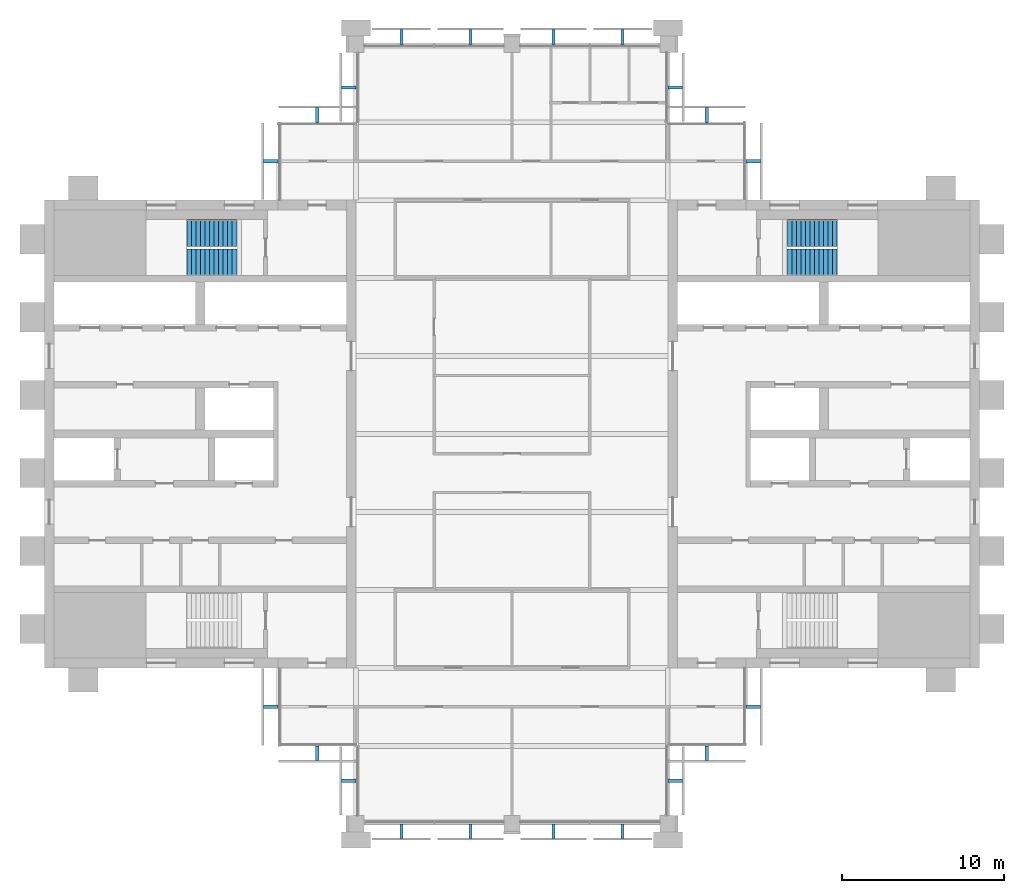
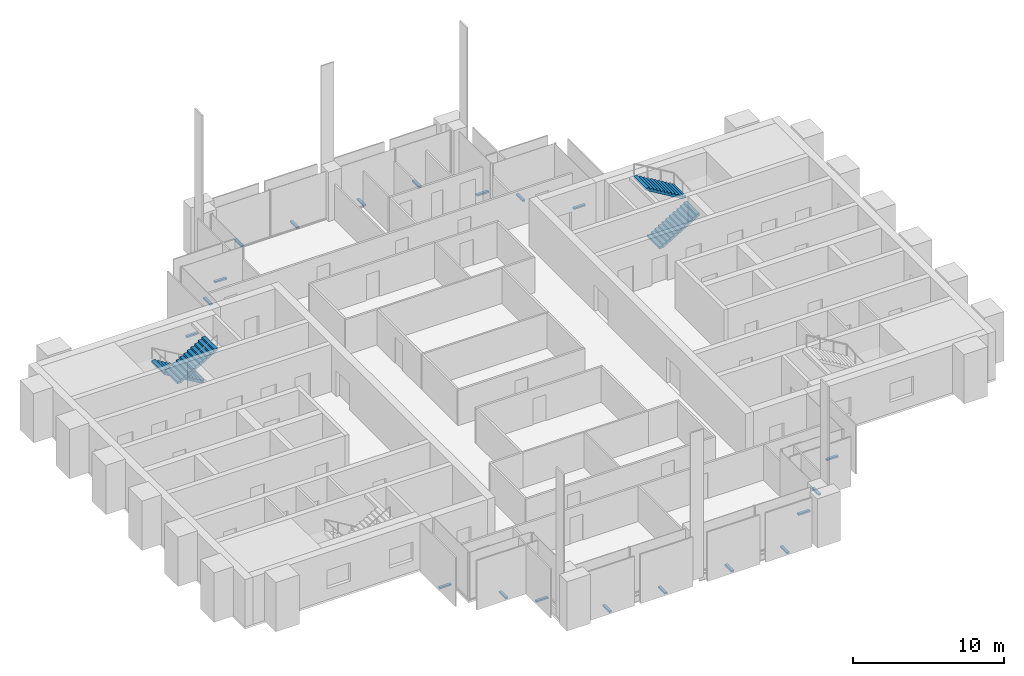
# One storey, part 12 of 13: 20 discrete accessories, 4 stair flights, 2 elements without a shape of their own.
"""IFC4 building model written with IfcOpenShell, lengths in metres."""

from ifc_helpers import new_model, si_unit, direction, frame, origin, origin_2d, place, context, subcontext, project, spatial, polyline, rectangle, outline, extrude, material, type_object, element, aggregate, save


model = new_model("IFC4")

# Units and contexts
model_context = context("Model", 3, precision=1e-05, world=origin(), true_north=direction((0.0, 1.0)))
body_context = subcontext(model_context, "Body", "Model", "MODEL_VIEW")
ifc_project = project(units=[si_unit("LENGTHUNIT", "METRE"), si_unit("AREAUNIT", "SQUARE_METRE"), si_unit("VOLUMEUNIT", "CUBIC_METRE"), si_unit("PLANEANGLEUNIT", "RADIAN"), si_unit("MASSUNIT", "GRAM", prefix="KILO")], contexts=[model_context])

# Site, building, storey
site_placement = place(None, origin())
site = spatial("IfcSite", under=ifc_project, at=site_placement, CompositionType="ELEMENT")
building_placement = place(site_placement, origin())
building = spatial("IfcBuilding", under=site, at=building_placement, Name="Baori Bourse Tower", CompositionType="ELEMENT")
storey_placement = place(building_placement, frame((0.0, 0.0, 318.300048828125)))
storey = spatial("IfcBuildingStorey", under=building, at=storey_placement, Name="L70", CompositionType="ELEMENT", Elevation=318.300048828125)

# Stair, stair flights
ifc_material_1 = material(Name="Concrete f'c 50 MPa", Category="concrete")
stair_type = type_object("IfcStairType", Name="Core stair", PredefinedType="HALF_TURN_STAIR", material=ifc_material_1)
stair_1_placement = place(storey_placement, origin())
stair_1 = element("IfcStair", 1, at=stair_1_placement, inside=storey, type_object=stair_type, Name="L70 Stair WB", PredefinedType="HALF_TURN_STAIR")
ifc_material_2 = material(Name="Concrete f'c 50 MPa", Category="concrete")
stair_flight_type = type_object("IfcStairFlightType", Name="Core stair flight", PredefinedType="STRAIGHT", material=ifc_material_2)
stair_flight_1_placement = place(storey_placement, frame((11.85009765625, 36.375, 0.0), z_axis=(0.0, 0.0, 1.0), x_axis=(-1.0, 0.0, 0.0)))
stair_flight_1 = element("IfcStairFlight", 2, at=stair_flight_1_placement, type_object=stair_flight_type, Name="ST2 flight 1", NumberOfRisers=12, NumberOfTreads=11, PredefinedType="STRAIGHT", RiserHeight=0.166666667, TreadLength=0.28, context=body_context, shape_type="SweptSolid", body=[
    extrude(outline(polyline([(0.0, 0.0), (0.0, 0.166748046875), (0.280029296875, 0.166748046875), (0.280029296875, 0.333251953125), (0.56005859375, 0.333251953125), (0.56005859375, 0.5), (0.840087890625, 0.5), (0.840087890625, 0.666748046875), (1.1201171875, 0.666748046875), (1.1201171875, 0.833251953125), (1.39990234375, 0.833251953125), (1.39990234375, 1.0), (1.679931640625, 1.0), (1.679931640625, 1.166748046875), (1.9599609375, 1.166748046875), (1.9599609375, 1.333251953125), (2.239990234375, 1.333251953125), (2.239990234375, 1.5), (2.52001953125, 1.5), (2.52001953125, 1.666748046875), (2.800048828125, 1.666748046875), (2.800048828125, 1.833251953125), (3.080078125, 1.833251953125), (3.080078125, 2.0), (3.080078125, 1.658935546875), (0.29296875, 0.0), (0.0, 0.0)])), frame((0.0, 0.824951171875, 0.0), z_axis=(0.0, -1.0, 0.0), x_axis=(1.0, 0.0, 0.0)), (0.0, 0.0, 1.0), 1.64990234375),
])
stair_flight_2_placement = place(storey_placement, frame((8.77001953125, 34.574951171875, 2.0), z_axis=(0.0, 0.0, 1.0), x_axis=(1.0, 0.0, 0.0)))
stair_flight_2 = element("IfcStairFlight", 3, at=stair_flight_2_placement, type_object=stair_flight_type, Name="ST2 flight 2", NumberOfRisers=12, NumberOfTreads=11, PredefinedType="STRAIGHT", RiserHeight=0.166666667, TreadLength=0.28, context=body_context, shape_type="SweptSolid", body=[
    extrude(outline(polyline([(0.0, 0.0), (0.0, 0.166748046875), (0.280029296875, 0.166748046875), (0.280029296875, 0.333251953125), (0.56005859375, 0.333251953125), (0.56005859375, 0.5), (0.840087890625, 0.5), (0.840087890625, 0.666748046875), (1.1201171875, 0.666748046875), (1.1201171875, 0.833251953125), (1.39990234375, 0.833251953125), (1.39990234375, 1.0), (1.679931640625, 1.0), (1.679931640625, 1.166748046875), (1.9599609375, 1.166748046875), (1.9599609375, 1.333251953125), (2.239990234375, 1.333251953125), (2.239990234375, 1.5), (2.52001953125, 1.5), (2.52001953125, 1.666748046875), (2.800048828125, 1.666748046875), (2.800048828125, 1.833251953125), (3.080078125, 1.833251953125), (3.080078125, 2.0), (3.080078125, 1.658935546875), (0.29296875, 0.0), (0.0, 0.0)])), frame((0.0, 0.824951171875, 0.0), z_axis=(0.0, -1.0, 0.0), x_axis=(1.0, 0.0, 0.0)), (0.0, 0.0, 1.0), 1.64990234375),
])
aggregate(stair_1, [stair_flight_1, stair_flight_2])

stair_2_placement = place(storey_placement, origin())
stair_2 = element("IfcStair", 4, at=stair_2_placement, inside=storey, type_object=stair_type, Name="L70 Stair EB", PredefinedType="HALF_TURN_STAIR")
stair_flight_3_placement = place(storey_placement, frame((45.75, 34.574951171875, 0.0), z_axis=(0.0, 0.0, 1.0), x_axis=(1.0, 0.0, 0.0)))
stair_flight_3 = element("IfcStairFlight", 5, at=stair_flight_3_placement, type_object=stair_flight_type, Name="ST4 flight 1", NumberOfRisers=12, NumberOfTreads=11, PredefinedType="STRAIGHT", RiserHeight=0.166666667, TreadLength=0.28, context=body_context, shape_type="SweptSolid", body=[
    extrude(outline(polyline([(0.0, 0.0), (0.0, 0.166748046875), (0.280029296875, 0.166748046875), (0.280029296875, 0.333251953125), (0.56005859375, 0.333251953125), (0.56005859375, 0.5), (0.840087890625, 0.5), (0.840087890625, 0.666748046875), (1.1201171875, 0.666748046875), (1.1201171875, 0.833251953125), (1.39990234375, 0.833251953125), (1.39990234375, 1.0), (1.679931640625, 1.0), (1.679931640625, 1.166748046875), (1.9599609375, 1.166748046875), (1.9599609375, 1.333251953125), (2.239990234375, 1.333251953125), (2.239990234375, 1.5), (2.52001953125, 1.5), (2.52001953125, 1.666748046875), (2.800048828125, 1.666748046875), (2.800048828125, 1.833251953125), (3.080078125, 1.833251953125), (3.080078125, 2.0), (3.080078125, 1.658935546875), (0.29296875, 0.0), (0.0, 0.0)])), frame((0.0, 0.824951171875, 0.0), z_axis=(0.0, -1.0, 0.0), x_axis=(1.0, 0.0, 0.0)), (0.0, 0.0, 1.0), 1.64990234375),
])
stair_flight_4_placement = place(storey_placement, frame((48.830078125, 36.375, 2.0), z_axis=(0.0, 0.0, 1.0), x_axis=(-1.0, 0.0, 0.0)))
stair_flight_4 = element("IfcStairFlight", 6, at=stair_flight_4_placement, type_object=stair_flight_type, Name="ST4 flight 2", NumberOfRisers=12, NumberOfTreads=11, PredefinedType="STRAIGHT", RiserHeight=0.166666667, TreadLength=0.28, context=body_context, shape_type="SweptSolid", body=[
    extrude(outline(polyline([(0.0, 0.0), (0.0, 0.166748046875), (0.280029296875, 0.166748046875), (0.280029296875, 0.333251953125), (0.56005859375, 0.333251953125), (0.56005859375, 0.5), (0.840087890625, 0.5), (0.840087890625, 0.666748046875), (1.1201171875, 0.666748046875), (1.1201171875, 0.833251953125), (1.39990234375, 0.833251953125), (1.39990234375, 1.0), (1.679931640625, 1.0), (1.679931640625, 1.166748046875), (1.9599609375, 1.166748046875), (1.9599609375, 1.333251953125), (2.239990234375, 1.333251953125), (2.239990234375, 1.5), (2.52001953125, 1.5), (2.52001953125, 1.666748046875), (2.800048828125, 1.666748046875), (2.800048828125, 1.833251953125), (3.080078125, 1.833251953125), (3.080078125, 2.0), (3.080078125, 1.658935546875), (0.29296875, 0.0), (0.0, 0.0)])), frame((0.0, 0.824951171875, 0.0), z_axis=(0.0, -1.0, 0.0), x_axis=(1.0, 0.0, 0.0)), (0.0, 0.0, 1.0), 1.64990234375),
])
aggregate(stair_2, [stair_flight_3, stair_flight_4])

# Discrete accessories
ifc_material_3 = material(Name="Pale anodised aluminium", Category="aluminium")
discrete_accessory_type = type_object("IfcDiscreteAccessoryType", Name="OS2 Outer skin bracket", PredefinedType="BRACKET", material=ifc_material_3)
for number, where, z_axis, x_axis, name in (
    (7, (43.64990234375, 40.800048828125, -0.14404296875), (0.0, 0.0, 1.0), (0.0, 1.0, 0.0), "Outer skin bracket L70 1"),
    (8, (40.800048828125, 43.64990234375, -0.14404296875), (0.0, 0.0, 1.0), (-1.0, 0.0, 0.0), "Outer skin bracket L70 2"),
    (9, (38.85009765625, 45.35009765625, -0.14404296875), (0.0, 0.0, 1.0), (0.0, 1.0, 0.0), "Outer skin bracket L70 3"),
    (10, (35.612548828125, 48.449951171875, -0.14404296875), (0.0, 0.0, 1.0), (-1.0, 0.0, 0.0), "Outer skin bracket L70 4"),
    (11, (31.362548828125, 48.449951171875, -0.14404296875), (0.0, 0.0, 1.0), (-1.0, 0.0, 0.0), "Outer skin bracket L70 5"),
    (12, (26.237548828125, 48.449951171875, -0.14404296875), (0.0, 0.0, 1.0), (-1.0, 0.0, 0.0), "Outer skin bracket L70 6"),
    (13, (21.987548828125, 48.449951171875, -0.14404296875), (0.0, 0.0, 1.0), (-1.0, 0.0, 0.0), "Outer skin bracket L70 7"),
    (14, (18.75, 45.35009765625, -0.14404296875), (0.0, 0.0, 1.0), (0.0, -1.0, 0.0), "Outer skin bracket L70 8"),
    (15, (16.800048828125, 43.64990234375, -0.14404296875), (0.0, 0.0, 1.0), (-1.0, 0.0, 0.0), "Outer skin bracket L70 9"),
    (16, (13.949951171875, 40.800048828125, -0.14404296875), (0.0, 0.0, 1.0), (0.0, -1.0, 0.0), "Outer skin bracket L70 10"),
    (17, (13.949951171875, 7.199951171875, -0.14404296875), (0.0, 0.0, 1.0), (0.0, -1.0, 0.0), "Outer skin bracket L70 11"),
    (18, (16.800048828125, 4.35009765625, -0.14404296875), (0.0, 0.0, 1.0), (1.0, 0.0, 0.0), "Outer skin bracket L70 12"),
    (19, (18.75, 2.64990234375, -0.14404296875), (0.0, 0.0, 1.0), (0.0, -1.0, 0.0), "Outer skin bracket L70 13"),
    (20, (21.987548828125, -0.449951171875, -0.14404296875), (0.0, 0.0, 1.0), (1.0, 0.0, 0.0), "Outer skin bracket L70 14"),
    (21, (26.237548828125, -0.449951171875, -0.14404296875), (0.0, 0.0, 1.0), (1.0, 0.0, 0.0), "Outer skin bracket L70 15"),
    (22, (31.362548828125, -0.449951171875, -0.14404296875), (0.0, 0.0, 1.0), (1.0, 0.0, 0.0), "Outer skin bracket L70 16"),
    (23, (35.612548828125, -0.449951171875, -0.14404296875), (0.0, 0.0, 1.0), (1.0, 0.0, 0.0), "Outer skin bracket L70 17"),
    (24, (38.85009765625, 2.64990234375, -0.14404296875), (0.0, 0.0, 1.0), (0.0, 1.0, 0.0), "Outer skin bracket L70 18"),
    (25, (40.800048828125, 4.35009765625, -0.14404296875), (0.0, 0.0, 1.0), (1.0, 0.0, 0.0), "Outer skin bracket L70 19"),
    (26, (43.64990234375, 7.199951171875, -0.14404296875), (0.0, 0.0, 1.0), (0.0, 1.0, 0.0), "Outer skin bracket L70 20"),
):
    element("IfcDiscreteAccessory", number, at=place(storey_placement, frame(where, z_axis=z_axis, x_axis=x_axis)), inside=storey, type_object=discrete_accessory_type, Name=name, PredefinedType="BRACKET", context=body_context, shape_type="SweptSolid", body=[
        extrude(rectangle(XDim=0.199951171875, YDim=0.89990234375, at=origin_2d()), origin(), (0.0, 0.0, 1.0), 0.1279296875),
    ])

save(model, "model.ifc")
